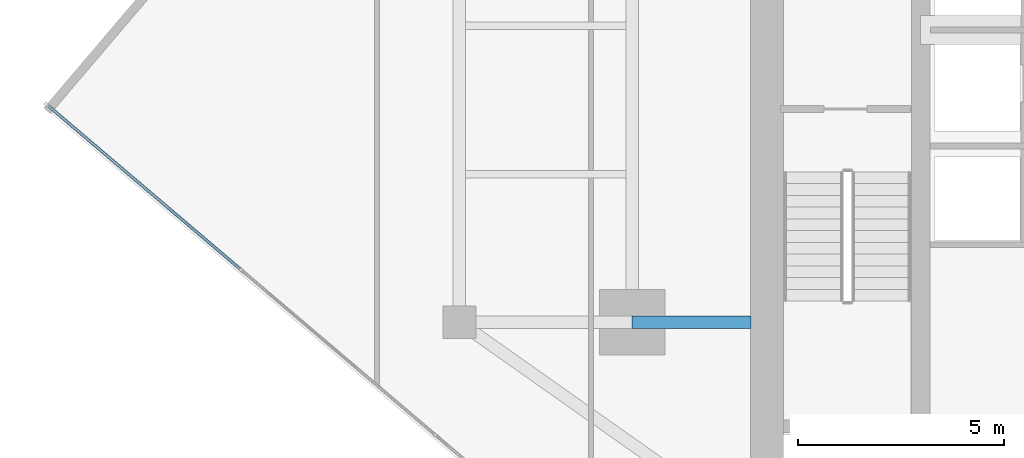
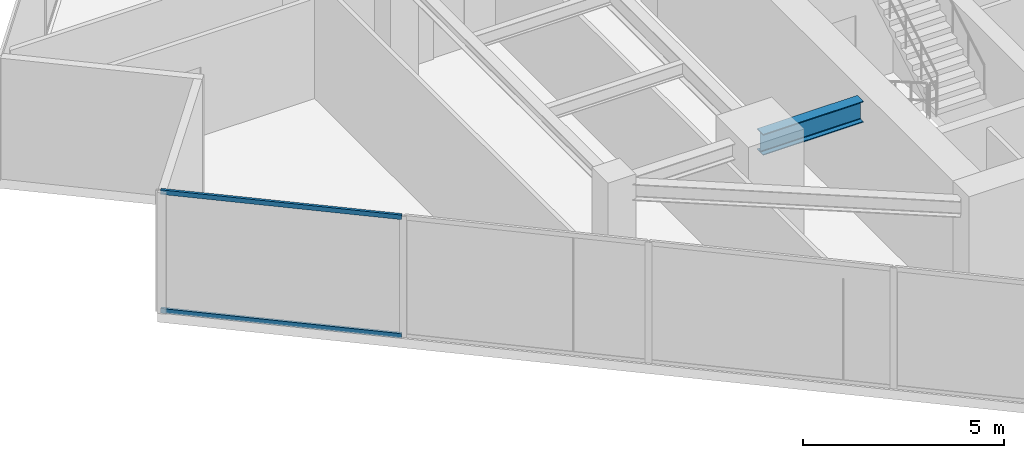
# One storey, part 5 of 26: 2 members, 1 beam, 1 element without a shape of its own.
"""IFC4 building model written with IfcOpenShell, lengths in metres."""

from ifc_helpers import new_model, si_unit, direction, frame, origin, origin_2d, place, context, subcontext, project, spatial, hollow_rectangle, i_section, extrude, source, transform, mapped, material, material_profile, profile_set, type_object, type_shapes, element, aggregate, save


model = new_model("IFC4")

# Units and contexts
model_context = context("Model", 3, precision=1e-05, world=origin(), true_north=direction((0.0, 1.0)))
body_context = subcontext(model_context, "Body", "Model", "MODEL_VIEW")
ifc_project = project(units=[si_unit("LENGTHUNIT", "METRE"), si_unit("AREAUNIT", "SQUARE_METRE"), si_unit("VOLUMEUNIT", "CUBIC_METRE"), si_unit("PLANEANGLEUNIT", "RADIAN"), si_unit("MASSUNIT", "GRAM", prefix="KILO")], contexts=[model_context])

# Site, building, storey
site_placement = place(None, origin())
site = spatial("IfcSite", under=ifc_project, at=site_placement, CompositionType="ELEMENT")
building_placement = place(site_placement, origin())
building = spatial("IfcBuilding", under=site, at=building_placement, Name="Krantzveldt Concourse Tower", CompositionType="ELEMENT")
storey_placement = place(building_placement, frame((0.0, 0.0, 207.300048828125)))
storey = spatial("IfcBuildingStorey", under=building, at=storey_placement, Name="L50", CompositionType="ELEMENT", Elevation=207.300048828125)

# Beam
ifc_material_1 = material(Name="Steel S355JR", Category="steel")
ifc_material_profile_1 = material_profile(ifc_material_1, i_section(OverallWidth=0.300048828125, OverallDepth=0.639892578125, WebThickness=0.013427734375, FlangeThickness=0.02587890625, FilletRadius=0.027099609375, at=origin_2d()), Name="Steel S355JR", Category="steel")
ifc_profile_set_1 = profile_set([ifc_material_profile_1], Name="Steel S355JR - HEA 650")
beam_type = type_object("IfcBeamType", Name="BM-B-HEA650", PredefinedType="BEAM", material=ifc_profile_set_1)
shared_shape_1 = source(origin(), body_context, "Body", "SweptSolid", [
    extrude(i_section(OverallWidth=0.300048828125, OverallDepth=0.639892578125, WebThickness=0.013427734375, FlangeThickness=0.02587890625, FilletRadius=0.027099609375, at=origin_2d()), origin(), (0.0, 0.0, 1.0), 2.880126953125),
])
type_shapes(beam_type, [shared_shape_1])
beam_placement = place(storey_placement, frame((25.199951171875, 15.89990234375, 3.349853515625), z_axis=(1.0, 0.0, 0.0), x_axis=(0.0, 1.0, 0.0)))
element("IfcBeam", 1, at=beam_placement, inside=storey, type_object=beam_type, Name="L50 Tower Girder BG-CW1", PredefinedType="BEAM", context=body_context, shape_type="MappedRepresentation", body=[
    mapped(shared_shape_1, transform((0.0, 0.0, 0.0), x_axis=(1.0, 0.0, 0.0), y_axis=(0.0, 1.0, 0.0), z_axis=(0.0, 0.0, 1.0), scale=1.0)),
])

# Curtain wall, members
ifc_material_2 = material(Name="Anodised aluminium 6063-T6", Category="aluminium")
curtain_wall_type = type_object("IfcCurtainWallType", Name="CW3", PredefinedType="USERDEFINED", material=ifc_material_2)
curtain_wall_placement = place(storey_placement, origin())
curtain_wall = element("IfcCurtainWall", 2, at=curtain_wall_placement, inside=storey, type_object=curtain_wall_type, Name="CW-L50-F04", ObjectType="UNITISED CURTAIN WALL", PredefinedType="USERDEFINED")
ifc_material_profile_2 = material_profile(ifc_material_2, hollow_rectangle(XDim=0.070068359375, YDim=0.139892578125, WallThickness=0.0048828125, at=origin_2d()), Name="Anodised aluminium 6063-T6", Category="aluminium")
ifc_profile_set_2 = profile_set([ifc_material_profile_2], Name="Anodised aluminium 6063-T6 - ALU-TRAN 140x70x5")
member_type = type_object("IfcMemberType", Name="CW-TRN-150", PredefinedType="USERDEFINED", material=ifc_profile_set_2)
shared_shape_2 = source(origin(), body_context, "Body", "SweptSolid", [
    extrude(hollow_rectangle(XDim=0.070068359375, YDim=0.139892578125, WallThickness=0.0048828125, at=origin_2d()), origin(), (0.0, 0.0, 1.0), 6.094970703125),
])
type_shapes(member_type, [shared_shape_2])
member_1_placement = place(storey_placement, frame((11.023681640625, 21.146484375, 0.034912109375), z_axis=(0.761823672468, -0.64778444877, 0.0), x_axis=(0.64778444877, 0.761823672468, 0.0)))
member_1 = element("IfcMember", 3, at=member_1_placement, type_object=member_type, Name="CW-Z34 transom 1.1", ObjectType="TRANSOM", PredefinedType="USERDEFINED", context=body_context, shape_type="MappedRepresentation", body=[
    mapped(shared_shape_2, transform((0.0, 0.0, 0.0), x_axis=(1.0, 0.0, 0.0), y_axis=(0.0, 1.0, 0.0), z_axis=(0.0, 0.0, 1.0), scale=1.0)),
])
member_2_placement = place(storey_placement, frame((11.023681640625, 21.146484375, 3.635009765625), z_axis=(0.761823672468, -0.64778444877, 0.0), x_axis=(0.64778444877, 0.761823672468, 0.0)))
member_2 = element("IfcMember", 4, at=member_2_placement, type_object=member_type, Name="CW-Z34 transom 1.2", ObjectType="TRANSOM", PredefinedType="USERDEFINED", context=body_context, shape_type="MappedRepresentation", body=[
    mapped(shared_shape_2, transform((0.0, 0.0, 0.0), x_axis=(1.0, 0.0, 0.0), y_axis=(0.0, 1.0, 0.0), z_axis=(0.0, 0.0, 1.0), scale=1.0)),
])
aggregate(curtain_wall, [member_1, member_2])

save(model, "model.ifc")
